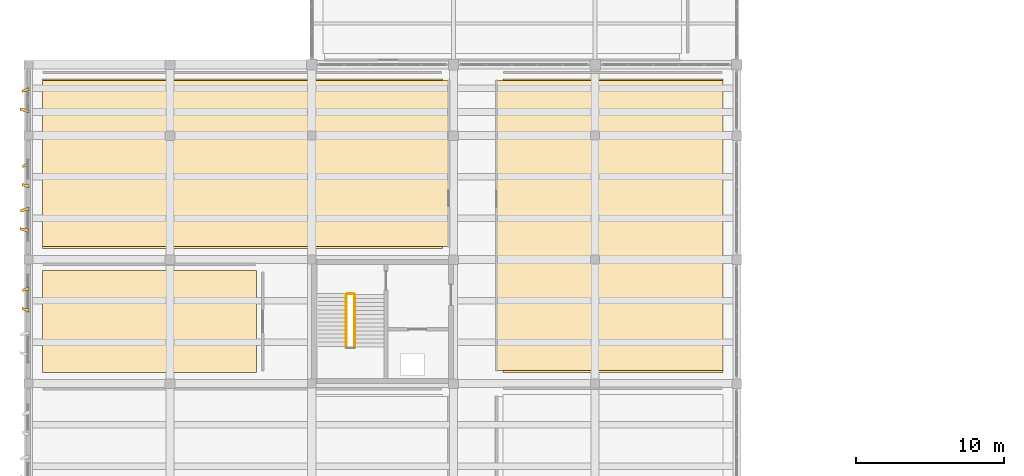
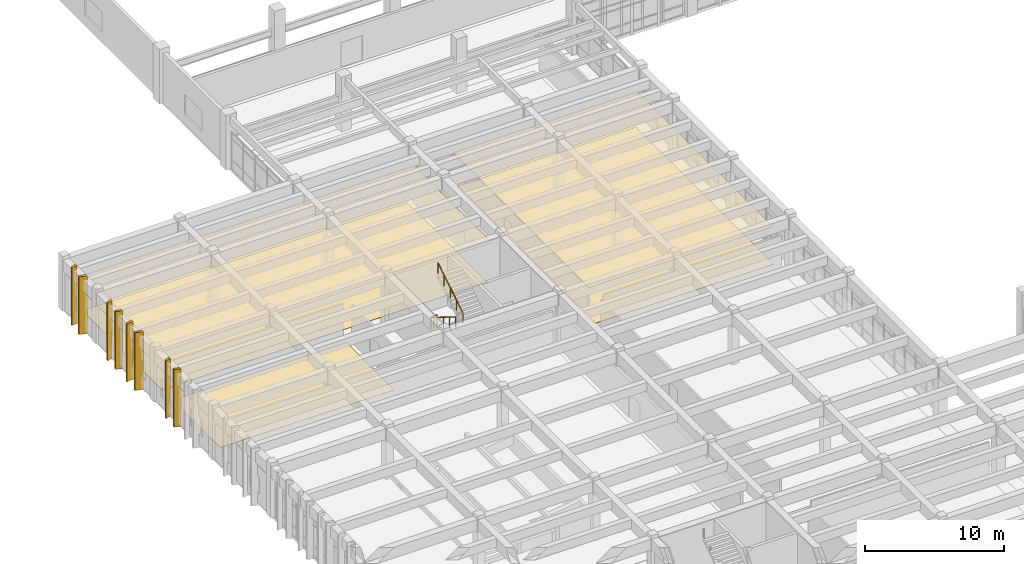
# One storey, part 80 of 86: 13 coverings, 3 railings.
"""IFC4 building model written with IfcOpenShell, lengths in metres."""

from ifc_helpers import new_model, si_unit, direction, frame, origin, origin_2d, place, context, subcontext, project, spatial, polyline, circle, outline, extrude, material, layer, layer_set, type_object, element, save


model = new_model("IFC4")

# Units and contexts
model_context = context("Model", 3, precision=1e-05, world=origin(), true_north=direction((0.0, 1.0)))
body_context = subcontext(model_context, "Body", "Model", "MODEL_VIEW")
ifc_project = project(units=[si_unit("LENGTHUNIT", "METRE"), si_unit("AREAUNIT", "SQUARE_METRE"), si_unit("VOLUMEUNIT", "CUBIC_METRE"), si_unit("PLANEANGLEUNIT", "RADIAN"), si_unit("MASSUNIT", "GRAM", prefix="KILO")], contexts=[model_context])

# Site, building, storey
site_placement = place(None, origin())
site = spatial("IfcSite", under=ifc_project, at=site_placement, CompositionType="ELEMENT")
building_placement = place(site_placement, origin())
building = spatial("IfcBuilding", under=site, at=building_placement, Name="Kolvemor Railside Polytechnic", CompositionType="ELEMENT")
storey_placement = place(building_placement, frame((0.0, 0.0, 5.39990234375)))
storey = spatial("IfcBuildingStorey", under=building, at=storey_placement, Name="L01", CompositionType="ELEMENT", Elevation=5.39990234375)

# Coverings
ifc_material_1 = material(Name="Perforated acoustic mineral-fibre and timber-slat ceiling", Category="wood")
ifc_layer_1 = layer(ifc_material_1, 0.02490234375, Name="COV-CEIL-1")
ifc_layer_set_1 = layer_set([ifc_layer_1], Name="Perforated acoustic mineral-fibre and timber-slat ceiling")
covering_type_1 = type_object("IfcCoveringType", Name="COV-CEIL-1", PredefinedType="CEILING", material=ifc_layer_set_1)
covering_1_placement = place(storey_placement, frame((0.0, 0.0, 3.235107421875)))
element("IfcCovering", 1, at=covering_1_placement, inside=storey, type_object=covering_type_1, Name="Seminar Room 101 Acoustic Ceiling", PredefinedType="CEILING", context=body_context, shape_type="SweptSolid", body=[
    extrude(outline(polyline([(0.949951171875, 69.280029296875), (28.47998046875, 69.280029296875), (28.47998046875, 80.52001953125), (0.949951171875, 80.52001953125), (0.949951171875, 69.280029296875)])), origin(), (0.0, 0.0, 1.0), 0.02490234375),
])
ifc_material_2 = material(Name="Perforated acoustic mineral-fibre and timber-slat ceiling", Category="wood")
ifc_layer_2 = layer(ifc_material_2, 0.0400390625, Name="COV-CEIL-4")
ifc_layer_set_2 = layer_set([ifc_layer_2], Name="Perforated acoustic mineral-fibre and timber-slat ceiling")
covering_type_2 = type_object("IfcCoveringType", Name="COV-CEIL-4", PredefinedType="CEILING", material=ifc_layer_set_2)
covering_2_placement = place(storey_placement, frame((0.0, 0.0, 3.22021484375)))
element("IfcCovering", 2, at=covering_2_placement, inside=storey, type_object=covering_type_2, Name="Seminar Room 103 Acoustic Ceiling", PredefinedType="CEILING", context=body_context, shape_type="SweptSolid", body=[
    extrude(outline(polyline([(31.719970703125, 60.8798828125), (47.050048828125, 60.8798828125), (47.050048828125, 80.52001953125), (31.719970703125, 80.52001953125), (31.719970703125, 60.8798828125)])), origin(), (0.0, 0.0, 1.0), 0.039794921875),
])
ifc_material_3 = material(Name="Champagne-bronze PVDF-anodised marine aluminium 5052-H32", Category="aluminium")
ifc_layer_3 = layer(ifc_material_3, 0.179931640625, Name="COV-FIN-CHAMP")
ifc_layer_set_3 = layer_set([ifc_layer_3], Name="Champagne-bronze PVDF-anodised marine aluminium 5052-H32")
covering_type_3 = type_object("IfcCoveringType", Name="COV-FIN-CHAMP", PredefinedType="CLADDING", material=ifc_layer_set_3)
covering_3_placement = place(storey_placement, frame((0.0, 0.0, -0.27978515625)))
element("IfcCovering", 3, at=covering_3_placement, inside=storey, type_object=covering_type_3, Name="Pleated Solar Fin L01-0222", PredefinedType="CLADDING", context=body_context, shape_type="SweptSolid", body=[
    extrude(outline(polyline([(0.034912109375, 64.8349609375), (0.034912109375, 65.06494140625), (-0.44189453125, 65.169921875), (-0.44189453125, 65.010009765625), (0.034912109375, 64.8349609375)])), origin(), (0.0, 0.0, 1.0), 5.079833984375),
])
covering_4_placement = place(storey_placement, frame((0.0, 0.0, -0.27978515625)))
element("IfcCovering", 4, at=covering_4_placement, inside=storey, type_object=covering_type_3, Name="Pleated Solar Fin L01-0223", PredefinedType="CLADDING", context=body_context, shape_type="SweptSolid", body=[
    extrude(outline(polyline([(0.034912109375, 66.3349609375), (0.034912109375, 66.56494140625), (-0.406005859375, 66.389892578125), (-0.406005859375, 66.22998046875), (0.034912109375, 66.3349609375)])), origin(), (0.0, 0.0, 1.0), 5.079833984375),
])
covering_5_placement = place(storey_placement, frame((0.0, 0.0, -0.27978515625)))
element("IfcCovering", 5, at=covering_5_placement, inside=storey, type_object=covering_type_3, Name="Pleated Solar Fin L01-0245", PredefinedType="CLADDING", context=body_context, shape_type="SweptSolid", body=[
    extrude(outline(polyline([(0.034912109375, 70.235107421875), (0.034912109375, 70.465087890625), (-0.56396484375, 70.570068359375), (-0.56396484375, 70.409912109375), (0.034912109375, 70.235107421875)])), origin(), (0.0, 0.0, 1.0), 5.079833984375),
])
covering_6_placement = place(storey_placement, frame((0.0, 0.0, -0.27978515625)))
element("IfcCovering", 6, at=covering_6_placement, inside=storey, type_object=covering_type_3, Name="Pleated Solar Fin L01-0246", PredefinedType="CLADDING", context=body_context, shape_type="SweptSolid", body=[
    extrude(outline(polyline([(0.034912109375, 71.735107421875), (0.034912109375, 71.965087890625), (-0.528076171875, 71.7900390625), (-0.528076171875, 71.6298828125), (0.034912109375, 71.735107421875)])), origin(), (0.0, 0.0, 1.0), 5.079833984375),
])
covering_7_placement = place(storey_placement, frame((0.0, 0.0, -0.27978515625)))
element("IfcCovering", 7, at=covering_7_placement, inside=storey, type_object=covering_type_3, Name="Pleated Solar Fin L01-0247", PredefinedType="CLADDING", context=body_context, shape_type="SweptSolid", body=[
    extrude(outline(polyline([(0.034912109375, 73.235107421875), (0.034912109375, 73.465087890625), (-0.44189453125, 73.570068359375), (-0.44189453125, 73.409912109375), (0.034912109375, 73.235107421875)])), origin(), (0.0, 0.0, 1.0), 5.079833984375),
])
covering_8_placement = place(storey_placement, frame((0.0, 0.0, -0.27978515625)))
element("IfcCovering", 8, at=covering_8_placement, inside=storey, type_object=covering_type_3, Name="Pleated Solar Fin L01-0248", PredefinedType="CLADDING", context=body_context, shape_type="SweptSolid", body=[
    extrude(outline(polyline([(0.034912109375, 74.735107421875), (0.034912109375, 74.965087890625), (-0.406005859375, 74.7900390625), (-0.406005859375, 74.6298828125), (0.034912109375, 74.735107421875)])), origin(), (0.0, 0.0, 1.0), 5.079833984375),
])
covering_9_placement = place(storey_placement, frame((0.0, 0.0, -0.27978515625)))
element("IfcCovering", 9, at=covering_9_placement, inside=storey, type_object=covering_type_3, Name="Pleated Solar Fin L01-0270", PredefinedType="CLADDING", context=body_context, shape_type="SweptSolid", body=[
    extrude(outline(polyline([(0.034912109375, 78.3349609375), (0.034912109375, 78.56494140625), (-0.552001953125, 78.669921875), (-0.552001953125, 78.510009765625), (0.034912109375, 78.3349609375)])), origin(), (0.0, 0.0, 1.0), 5.079833984375),
])
covering_10_placement = place(storey_placement, frame((0.0, 0.0, -0.27978515625)))
element("IfcCovering", 10, at=covering_10_placement, inside=storey, type_object=covering_type_3, Name="Pleated Solar Fin L01-0271", PredefinedType="CLADDING", context=body_context, shape_type="SweptSolid", body=[
    extrude(outline(polyline([(0.034912109375, 79.8349609375), (0.034912109375, 80.06494140625), (-0.41796875, 79.889892578125), (-0.41796875, 79.72998046875), (0.034912109375, 79.8349609375)])), origin(), (0.0, 0.0, 1.0), 5.079833984375),
])
ifc_material_4 = material(Name="Polished coral-aggregate terrazzo and laboratory epoxy flooring")
ifc_layer_4 = layer(ifc_material_4, 0.02001953125, Name="COV-FLR-1")
ifc_layer_set_4 = layer_set([ifc_layer_4], Name="Polished coral-aggregate terrazzo and laboratory epoxy flooring")
covering_type_4 = type_object("IfcCoveringType", Name="COV-FLR-1", PredefinedType="FLOORING", material=ifc_layer_set_4)
covering_11_placement = place(storey_placement, origin())
element("IfcCovering", 11, at=covering_11_placement, inside=storey, type_object=covering_type_4, Name="Seminar Room 101 Floor Finish", PredefinedType="FLOORING", context=body_context, shape_type="SweptSolid", body=[
    extrude(outline(polyline([(0.949951171875, 69.14990234375), (28.050048828125, 69.14990234375), (28.050048828125, 80.64990234375), (0.949951171875, 80.64990234375), (0.949951171875, 69.14990234375)])), origin(), (0.0, 0.0, 1.0), 0.02001953125),
])
ifc_material_5 = material(Name="Polished coral-aggregate terrazzo and laboratory epoxy flooring")
ifc_layer_5 = layer(ifc_material_5, 0.02490234375, Name="COV-FLR-2")
ifc_layer_set_5 = layer_set([ifc_layer_5], Name="Polished coral-aggregate terrazzo and laboratory epoxy flooring")
covering_type_5 = type_object("IfcCoveringType", Name="COV-FLR-2", PredefinedType="FLOORING", material=ifc_layer_set_5)
covering_12_placement = place(storey_placement, origin())
element("IfcCovering", 12, at=covering_12_placement, inside=storey, type_object=covering_type_5, Name="Lecture AHU Sub-Plant L01 Floor Finish", PredefinedType="FLOORING", context=body_context, shape_type="SweptSolid", body=[
    extrude(outline(polyline([(0.949951171875, 60.75), (15.449951171875, 60.75), (15.449951171875, 67.64990234375), (0.949951171875, 67.64990234375), (0.949951171875, 60.75)])), origin(), (0.0, 0.0, 1.0), 0.025146484375),
])
ifc_material_6 = material(Name="Polished coral-aggregate terrazzo and laboratory epoxy flooring")
ifc_layer_6 = layer(ifc_material_6, 0.034912109375, Name="COV-FLR-4")
ifc_layer_set_6 = layer_set([ifc_layer_6], Name="Polished coral-aggregate terrazzo and laboratory epoxy flooring")
covering_type_6 = type_object("IfcCoveringType", Name="COV-FLR-4", PredefinedType="FLOORING", material=ifc_layer_set_6)
covering_13_placement = place(storey_placement, origin())
element("IfcCovering", 13, at=covering_13_placement, inside=storey, type_object=covering_type_6, Name="Seminar Room 103 Floor Finish", PredefinedType="FLOORING", context=body_context, shape_type="SweptSolid", body=[
    extrude(outline(polyline([(32.14990234375, 60.75), (47.050048828125, 60.75), (47.050048828125, 80.64990234375), (32.14990234375, 80.64990234375), (32.14990234375, 60.75)])), origin(), (0.0, 0.0, 1.0), 0.03515625),
])

# Railings
ifc_material_7 = material(Name="AISI 316 marine stainless-steel balustrade guard", Category="steel")
railing_type_1 = type_object("IfcRailingType", Name="RLG-GUARD-1120", PredefinedType="BALUSTRADE", material=ifc_material_7)
railing_1_placement = place(storey_placement, frame((21.580078125, 66.080078125, 0.0)))
element("IfcRailing", 14, at=railing_1_placement, inside=storey, type_object=railing_type_1, Name="ST-5 Floor Slot Guard L01", PredefinedType="BALUSTRADE", context=body_context, shape_type="SweptSolid", body=[
    extrude(circle(Radius=0.02392578125, at=origin_2d()), frame((0.054931640625, 0.0, 1.09619140625), z_axis=(1.0, 0.0, 0.0), x_axis=(0.0, 1.0, 0.0)), (0.0, 0.0, 1.0), 0.389892578125),
    extrude(circle(Radius=0.02099609375, at=origin_2d()), origin(), (0.0, 0.0, 1.0), 1.05712890625),
    extrude(circle(Radius=0.02099609375, at=origin_2d()), frame((0.25, 0.0, 0.0)), (0.0, 0.0, 1.0), 1.05712890625),
    extrude(circle(Radius=0.02099609375, at=origin_2d()), frame((0.5, 0.0, 0.0)), (0.0, 0.0, 1.0), 1.05712890625),
])
ifc_material_8 = material(Name="Brushed AISI 316 stainless-steel stair handrail", Category="steel")
railing_type_2 = type_object("IfcRailingType", Name="RLG-HANDRAIL-920", PredefinedType="HANDRAIL", material=ifc_material_8)
railing_2_placement = place(storey_placement, frame((21.5400390625, 66.02001953125, 0.171630859375)))
element("IfcRailing", 15, at=railing_2_placement, inside=storey, type_object=railing_type_2, Name="ST-5 Flight 1 Handrail L01", PredefinedType="HANDRAIL", context=body_context, shape_type="SweptSolid", body=[
    extrude(circle(Radius=0.02392578125, at=origin_2d()), frame((0.0, -0.046630859375, 0.925048828125), z_axis=(0.0, -0.848619585623, 0.529003590628), x_axis=(1.0, 0.0, 0.0)), (0.0, 0.0, 1.0), 4.102783203125),
    extrude(circle(Radius=0.02099609375, at=origin_2d()), origin(), (0.0, 0.0, 1.0), 0.85693359375),
    extrude(circle(Radius=0.02099609375, at=origin_2d()), frame((0.0, -0.893798828125, 0.55712890625)), (0.0, 0.0, 1.0), 0.85693359375),
    extrude(circle(Radius=0.02099609375, at=origin_2d()), frame((0.0, -1.78759765625, 1.1142578125)), (0.0, 0.0, 1.0), 0.85693359375),
    extrude(circle(Radius=0.02099609375, at=origin_2d()), frame((0.0, -2.68115234375, 1.67138671875)), (0.0, 0.0, 1.0), 0.85693359375),
    extrude(circle(Radius=0.02099609375, at=origin_2d()), frame((0.0, -3.574951171875, 2.228515625)), (0.0, 0.0, 1.0), 0.85693359375),
])
railing_3_placement = place(storey_placement, frame((22.1201171875, 62.445068359375, 2.571533203125)))
element("IfcRailing", 16, at=railing_3_placement, inside=storey, type_object=railing_type_2, Name="ST-5 Flight 2 Handrail L01", PredefinedType="HANDRAIL", context=body_context, shape_type="SweptSolid", body=[
    extrude(circle(Radius=0.02392578125, at=origin_2d()), frame((0.0, 0.046630859375, 0.925048828125), z_axis=(0.0, 0.848619585623, 0.529003590628), x_axis=(-1.0, 0.0, 0.0)), (0.0, 0.0, 1.0), 4.102783203125),
    extrude(circle(Radius=0.02099609375, at=origin_2d()), origin(), (0.0, 0.0, 1.0), 0.85693359375),
    extrude(circle(Radius=0.02099609375, at=origin_2d()), frame((0.0, 0.893798828125, 0.55712890625)), (0.0, 0.0, 1.0), 0.85693359375),
    extrude(circle(Radius=0.02099609375, at=origin_2d()), frame((0.0, 1.78759765625, 1.1142578125)), (0.0, 0.0, 1.0), 0.85693359375),
    extrude(circle(Radius=0.02099609375, at=origin_2d()), frame((0.0, 2.68115234375, 1.67138671875)), (0.0, 0.0, 1.0), 0.85693359375),
    extrude(circle(Radius=0.02099609375, at=origin_2d()), frame((0.0, 3.574951171875, 2.228515625)), (0.0, 0.0, 1.0), 0.85693359375),
])

save(model, "model.ifc")
